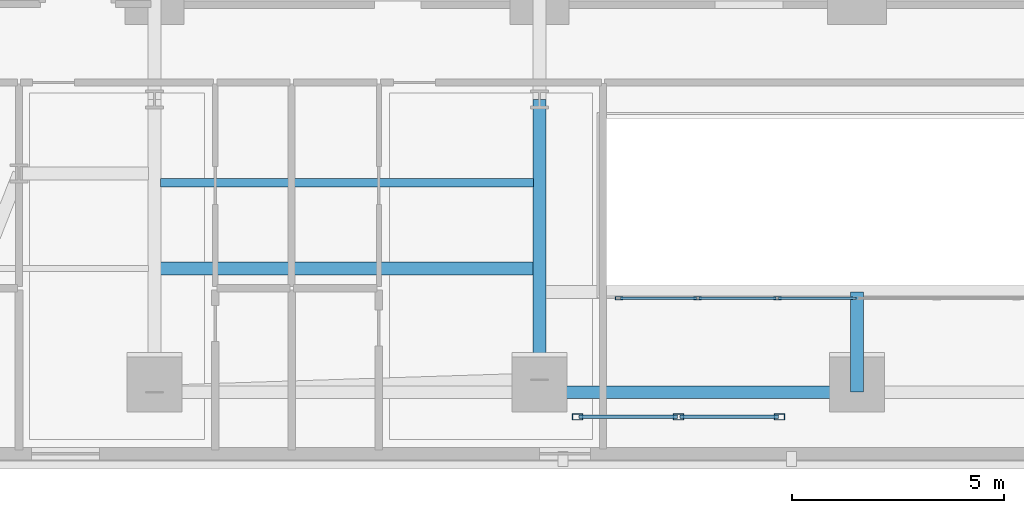
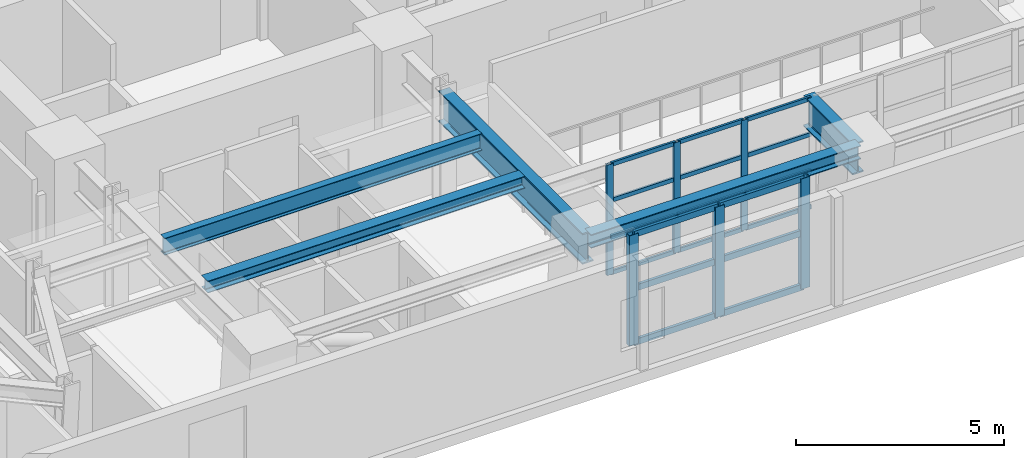
# One storey, part 2 of 16: 24 members, 5 beams, 2 elements without a shape of their own.
"""IFC4 building model written with IfcOpenShell, lengths in metres."""

from ifc_helpers import new_model, si_unit, direction, frame, origin, origin_2d, place, context, subcontext, project, spatial, hollow_rectangle, i_section, extrude, material, layer, layer_set, material_profile, profile_set, type_object, element, aggregate, save


model = new_model("IFC4")

# Units and contexts
model_context = context("Model", 3, precision=1e-05, world=origin(), true_north=direction((0.0, 1.0)))
body_context = subcontext(model_context, "Body", "Model", "MODEL_VIEW")
ifc_project = project(units=[si_unit("LENGTHUNIT", "METRE"), si_unit("AREAUNIT", "SQUARE_METRE"), si_unit("VOLUMEUNIT", "CUBIC_METRE"), si_unit("PLANEANGLEUNIT", "RADIAN"), si_unit("MASSUNIT", "GRAM", prefix="KILO")], contexts=[model_context])

# Site, building, storey
site_placement = place(None, origin())
site = spatial("IfcSite", under=ifc_project, at=site_placement, CompositionType="ELEMENT")
building_placement = place(site_placement, origin())
building = spatial("IfcBuilding", under=site, at=building_placement, Name="Zarnavel Station Tower", CompositionType="ELEMENT")
storey_placement = place(building_placement, frame((0.0, 0.0, 82.800048828125)))
storey = spatial("IfcBuildingStorey", under=building, at=storey_placement, Name="L22", CompositionType="ELEMENT", Elevation=82.800048828125)

# Curtain wall, members
ifc_material_1 = material(Name="Aluminium Dark Anodised and Solar-Control Glass", Category="aluminium")
ifc_layer_1 = layer(ifc_material_1, 0.179931640625)
ifc_layer_set_1 = layer_set([ifc_layer_1], Name="CWS3")
curtain_wall_type_1 = type_object("IfcCurtainWallType", Name="CWS3", PredefinedType="NOTDEFINED", material=ifc_layer_set_1)
curtain_wall_1_placement = place(storey_placement, origin())
curtain_wall_1 = element("IfcCurtainWall", 1, at=curtain_wall_1_placement, inside=storey, type_object=curtain_wall_type_1, Name="L22 Curtain Wall CWS3-L22-AS", PredefinedType="NOTDEFINED")
ifc_material_2 = material(Name="Steel S355J2 (Black Fluoropolymer Coated)", Category="steel")
ifc_material_profile_1 = material_profile(ifc_material_2, hollow_rectangle(XDim=0.080078125, YDim=0.179931640625, WallThickness=0.00634765625, at=origin_2d()), Name="RHS180x80x6.3")
ifc_profile_set_1 = profile_set([ifc_material_profile_1], Name="Steel S355J2 (Black Fluoropolymer Coated)")
member_type_1 = type_object("IfcMemberType", Name="CWS3_MUL", PredefinedType="MULLION", material=ifc_profile_set_1)
member_1_placement = place(storey_placement, frame((23.179931640625, 20.64990234375, 0.0), z_axis=(0.0, 0.0, 1.0), x_axis=(0.0, 1.0, 0.0)))
member_1 = element("IfcMember", 2, at=member_1_placement, type_object=member_type_1, Name="CW3 mullion 1", PredefinedType="MULLION", context=body_context, shape_type="SweptSolid", body=[
    extrude(hollow_rectangle(XDim=0.080078125, YDim=0.179931640625, WallThickness=0.00634765625, at=origin_2d()), origin(), (0.0, 0.0, 1.0), 3.239990234375),
])
member_2_placement = place(storey_placement, frame((25.033447265625, 20.64990234375, 0.0), z_axis=(0.0, 0.0, 1.0), x_axis=(0.0, 1.0, 0.0)))
member_2 = element("IfcMember", 3, at=member_2_placement, type_object=member_type_1, Name="CW3 mullion 2", PredefinedType="MULLION", context=body_context, shape_type="SweptSolid", body=[
    extrude(hollow_rectangle(XDim=0.080078125, YDim=0.179931640625, WallThickness=0.00634765625, at=origin_2d()), origin(), (0.0, 0.0, 1.0), 3.239990234375),
])
member_3_placement = place(storey_placement, frame((26.916748046875, 20.64990234375, 0.0), z_axis=(0.0, 0.0, 1.0), x_axis=(0.0, 1.0, 0.0)))
member_3 = element("IfcMember", 4, at=member_3_placement, type_object=member_type_1, Name="CW3 mullion 3", PredefinedType="MULLION", context=body_context, shape_type="SweptSolid", body=[
    extrude(hollow_rectangle(XDim=0.080078125, YDim=0.179931640625, WallThickness=0.00634765625, at=origin_2d()), origin(), (0.0, 0.0, 1.0), 3.239990234375),
])
ifc_material_3 = material(Name="Steel S355J2 (Black Fluoropolymer Coated)", Category="steel")
ifc_material_profile_2 = material_profile(ifc_material_3, hollow_rectangle(XDim=0.06005859375, YDim=0.1201171875, WallThickness=0.0048828125, at=origin_2d()), Name="RHS120x60x5")
ifc_profile_set_2 = profile_set([ifc_material_profile_2], Name="Steel S355J2 (Black Fluoropolymer Coated)")
member_type_2 = type_object("IfcMemberType", Name="CWS3_TRN", PredefinedType="USERDEFINED", material=ifc_profile_set_2)
member_4_placement = place(storey_placement, frame((23.2099609375, 20.64990234375, 0.030029296875), z_axis=(1.0, 0.0, 0.0), x_axis=(0.0, 1.0, 0.0)))
member_4 = element("IfcMember", 5, at=member_4_placement, type_object=member_type_2, Name="CW3 transom 1.1", ObjectType="TRANSOM", PredefinedType="USERDEFINED", context=body_context, shape_type="SweptSolid", body=[
    extrude(hollow_rectangle(XDim=0.06005859375, YDim=0.1201171875, WallThickness=0.0048828125, at=origin_2d()), origin(), (0.0, 0.0, 1.0), 1.79345703125),
])
member_5_placement = place(storey_placement, frame((23.2099609375, 20.64990234375, 1.079833984375), z_axis=(1.0, 0.0, 0.0), x_axis=(0.0, 1.0, 0.0)))
member_5 = element("IfcMember", 6, at=member_5_placement, type_object=member_type_2, Name="CW3 transom 1.2", ObjectType="TRANSOM", PredefinedType="USERDEFINED", context=body_context, shape_type="SweptSolid", body=[
    extrude(hollow_rectangle(XDim=0.06005859375, YDim=0.1201171875, WallThickness=0.0048828125, at=origin_2d()), origin(), (0.0, 0.0, 1.0), 1.79345703125),
])
member_6_placement = place(storey_placement, frame((23.2099609375, 20.64990234375, 2.159912109375), z_axis=(1.0, 0.0, 0.0), x_axis=(0.0, 1.0, 0.0)))
member_6 = element("IfcMember", 7, at=member_6_placement, type_object=member_type_2, Name="CW3 transom 1.3", ObjectType="TRANSOM", PredefinedType="USERDEFINED", context=body_context, shape_type="SweptSolid", body=[
    extrude(hollow_rectangle(XDim=0.06005859375, YDim=0.1201171875, WallThickness=0.0048828125, at=origin_2d()), origin(), (0.0, 0.0, 1.0), 1.79345703125),
])
member_7_placement = place(storey_placement, frame((23.2099609375, 20.64990234375, 3.2099609375), z_axis=(1.0, 0.0, 0.0), x_axis=(0.0, 1.0, 0.0)))
member_7 = element("IfcMember", 8, at=member_7_placement, type_object=member_type_2, Name="CW3 transom 1.4", ObjectType="TRANSOM", PredefinedType="USERDEFINED", context=body_context, shape_type="SweptSolid", body=[
    extrude(hollow_rectangle(XDim=0.06005859375, YDim=0.1201171875, WallThickness=0.0048828125, at=origin_2d()), origin(), (0.0, 0.0, 1.0), 1.79345703125),
])
member_8_placement = place(storey_placement, frame((25.063232421875, 20.64990234375, 0.030029296875), z_axis=(1.0, 0.0, 0.0), x_axis=(0.0, 1.0, 0.0)))
member_8 = element("IfcMember", 9, at=member_8_placement, type_object=member_type_2, Name="CW3 transom 2.1", ObjectType="TRANSOM", PredefinedType="USERDEFINED", context=body_context, shape_type="SweptSolid", body=[
    extrude(hollow_rectangle(XDim=0.06005859375, YDim=0.1201171875, WallThickness=0.0048828125, at=origin_2d()), origin(), (0.0, 0.0, 1.0), 1.823486328125),
])
member_9_placement = place(storey_placement, frame((25.063232421875, 20.64990234375, 1.079833984375), z_axis=(1.0, 0.0, 0.0), x_axis=(0.0, 1.0, 0.0)))
member_9 = element("IfcMember", 10, at=member_9_placement, type_object=member_type_2, Name="CW3 transom 2.2", ObjectType="TRANSOM", PredefinedType="USERDEFINED", context=body_context, shape_type="SweptSolid", body=[
    extrude(hollow_rectangle(XDim=0.06005859375, YDim=0.1201171875, WallThickness=0.0048828125, at=origin_2d()), origin(), (0.0, 0.0, 1.0), 1.823486328125),
])
member_10_placement = place(storey_placement, frame((25.063232421875, 20.64990234375, 2.159912109375), z_axis=(1.0, 0.0, 0.0), x_axis=(0.0, 1.0, 0.0)))
member_10 = element("IfcMember", 11, at=member_10_placement, type_object=member_type_2, Name="CW3 transom 2.3", ObjectType="TRANSOM", PredefinedType="USERDEFINED", context=body_context, shape_type="SweptSolid", body=[
    extrude(hollow_rectangle(XDim=0.06005859375, YDim=0.1201171875, WallThickness=0.0048828125, at=origin_2d()), origin(), (0.0, 0.0, 1.0), 1.823486328125),
])
member_11_placement = place(storey_placement, frame((25.063232421875, 20.64990234375, 3.2099609375), z_axis=(1.0, 0.0, 0.0), x_axis=(0.0, 1.0, 0.0)))
member_11 = element("IfcMember", 12, at=member_11_placement, type_object=member_type_2, Name="CW3 transom 2.4", ObjectType="TRANSOM", PredefinedType="USERDEFINED", context=body_context, shape_type="SweptSolid", body=[
    extrude(hollow_rectangle(XDim=0.06005859375, YDim=0.1201171875, WallThickness=0.0048828125, at=origin_2d()), origin(), (0.0, 0.0, 1.0), 1.823486328125),
])
member_12_placement = place(storey_placement, frame((26.94677734375, 20.64990234375, 0.030029296875), z_axis=(1.0, 0.0, 0.0), x_axis=(0.0, 1.0, 0.0)))
member_12 = element("IfcMember", 13, at=member_12_placement, type_object=member_type_2, Name="CW3 transom 3.1", ObjectType="TRANSOM", PredefinedType="USERDEFINED", context=body_context, shape_type="SweptSolid", body=[
    extrude(hollow_rectangle(XDim=0.06005859375, YDim=0.1201171875, WallThickness=0.0048828125, at=origin_2d()), origin(), (0.0, 0.0, 1.0), 1.8232421875),
])
member_13_placement = place(storey_placement, frame((26.94677734375, 20.64990234375, 1.079833984375), z_axis=(1.0, 0.0, 0.0), x_axis=(0.0, 1.0, 0.0)))
member_13 = element("IfcMember", 14, at=member_13_placement, type_object=member_type_2, Name="CW3 transom 3.2", ObjectType="TRANSOM", PredefinedType="USERDEFINED", context=body_context, shape_type="SweptSolid", body=[
    extrude(hollow_rectangle(XDim=0.06005859375, YDim=0.1201171875, WallThickness=0.0048828125, at=origin_2d()), origin(), (0.0, 0.0, 1.0), 1.8232421875),
])
member_14_placement = place(storey_placement, frame((26.94677734375, 20.64990234375, 2.159912109375), z_axis=(1.0, 0.0, 0.0), x_axis=(0.0, 1.0, 0.0)))
member_14 = element("IfcMember", 15, at=member_14_placement, type_object=member_type_2, Name="CW3 transom 3.3", ObjectType="TRANSOM", PredefinedType="USERDEFINED", context=body_context, shape_type="SweptSolid", body=[
    extrude(hollow_rectangle(XDim=0.06005859375, YDim=0.1201171875, WallThickness=0.0048828125, at=origin_2d()), origin(), (0.0, 0.0, 1.0), 1.8232421875),
])
member_15_placement = place(storey_placement, frame((26.94677734375, 20.64990234375, 3.2099609375), z_axis=(1.0, 0.0, 0.0), x_axis=(0.0, 1.0, 0.0)))
member_15 = element("IfcMember", 16, at=member_15_placement, type_object=member_type_2, Name="CW3 transom 3.4", ObjectType="TRANSOM", PredefinedType="USERDEFINED", context=body_context, shape_type="SweptSolid", body=[
    extrude(hollow_rectangle(XDim=0.06005859375, YDim=0.1201171875, WallThickness=0.0048828125, at=origin_2d()), origin(), (0.0, 0.0, 1.0), 1.8232421875),
])
aggregate(curtain_wall_1, [member_1, member_2, member_3, member_4, member_5, member_6, member_7, member_8, member_9, member_10, member_11, member_12, member_13, member_14, member_15])

ifc_material_4 = material(Name="Aluminium Dark Anodised and Solar-Control Glass", Category="aluminium")
ifc_layer_2 = layer(ifc_material_4, 0.179931640625)
ifc_layer_set_2 = layer_set([ifc_layer_2], Name="CWS6")
curtain_wall_type_2 = type_object("IfcCurtainWallType", Name="CWS6", PredefinedType="NOTDEFINED", material=ifc_layer_set_2)
curtain_wall_2_placement = place(storey_placement, origin())
curtain_wall_2 = element("IfcCurtainWall", 17, at=curtain_wall_2_placement, inside=storey, type_object=curtain_wall_type_2, Name="L22 Curtain Wall CWS6-LOG-L22", PredefinedType="NOTDEFINED")
ifc_material_5 = material(Name="Steel S355J2 (Black Fluoropolymer Coated)", Category="steel")
ifc_material_profile_3 = material_profile(ifc_material_5, hollow_rectangle(XDim=0.14990234375, YDim=0.25, WallThickness=0.010009765625, at=origin_2d()), Name="RHS250x150x10")
ifc_profile_set_3 = profile_set([ifc_material_profile_3], Name="Steel S355J2 (Black Fluoropolymer Coated)")
member_type_3 = type_object("IfcMemberType", Name="CWS6_MUL", PredefinedType="MULLION", material=ifc_profile_set_3)
member_16_placement = place(storey_placement, frame((22.197998046875, 17.85009765625, 0.0), z_axis=(0.0, 0.0, 1.0), x_axis=(0.0, 1.0, 0.0)))
member_16 = element("IfcMember", 18, at=member_16_placement, type_object=member_type_3, Name="CW6 mullion 1", PredefinedType="MULLION", context=body_context, shape_type="SweptSolid", body=[
    extrude(hollow_rectangle(XDim=0.14990234375, YDim=0.25, WallThickness=0.010009765625, at=origin_2d()), origin(), (0.0, 0.0, 1.0), 3.239990234375),
])
member_17_placement = place(storey_placement, frame((24.583984375, 17.85009765625, 0.0), z_axis=(0.0, 0.0, 1.0), x_axis=(0.0, 1.0, 0.0)))
member_17 = element("IfcMember", 19, at=member_17_placement, type_object=member_type_3, Name="CW6 mullion 2", PredefinedType="MULLION", context=body_context, shape_type="SweptSolid", body=[
    extrude(hollow_rectangle(XDim=0.14990234375, YDim=0.25, WallThickness=0.010009765625, at=origin_2d()), origin(), (0.0, 0.0, 1.0), 3.239990234375),
])
member_18_placement = place(storey_placement, frame((26.969970703125, 17.85009765625, 0.0), z_axis=(0.0, 0.0, 1.0), x_axis=(0.0, 1.0, 0.0)))
member_18 = element("IfcMember", 20, at=member_18_placement, type_object=member_type_3, Name="CW6 mullion 3", PredefinedType="MULLION", context=body_context, shape_type="SweptSolid", body=[
    extrude(hollow_rectangle(XDim=0.14990234375, YDim=0.25, WallThickness=0.010009765625, at=origin_2d()), origin(), (0.0, 0.0, 1.0), 3.239990234375),
])
ifc_material_6 = material(Name="Steel S355J2 (Black Fluoropolymer Coated)", Category="steel")
ifc_material_profile_4 = material_profile(ifc_material_6, hollow_rectangle(XDim=0.080078125, YDim=0.179931640625, WallThickness=0.00634765625, at=origin_2d()), Name="RHS180x80x6.3")
ifc_profile_set_4 = profile_set([ifc_material_profile_4], Name="Steel S355J2 (Black Fluoropolymer Coated)")
member_type_4 = type_object("IfcMemberType", Name="CWS6_TRN", PredefinedType="USERDEFINED", material=ifc_profile_set_4)
member_19_placement = place(storey_placement, frame((22.22802734375, 17.85009765625, 0.030029296875), z_axis=(1.0, 0.0, 0.0), x_axis=(0.0, 1.0, 0.0)))
member_19 = element("IfcMember", 21, at=member_19_placement, type_object=member_type_4, Name="CW6 transom 1.1", ObjectType="TRANSOM", PredefinedType="USERDEFINED", context=body_context, shape_type="SweptSolid", body=[
    extrude(hollow_rectangle(XDim=0.080078125, YDim=0.179931640625, WallThickness=0.00634765625, at=origin_2d()), origin(), (0.0, 0.0, 1.0), 2.325927734375),
])
member_20_placement = place(storey_placement, frame((22.22802734375, 17.85009765625, 1.619873046875), z_axis=(1.0, 0.0, 0.0), x_axis=(0.0, 1.0, 0.0)))
member_20 = element("IfcMember", 22, at=member_20_placement, type_object=member_type_4, Name="CW6 transom 1.2", ObjectType="TRANSOM", PredefinedType="USERDEFINED", context=body_context, shape_type="SweptSolid", body=[
    extrude(hollow_rectangle(XDim=0.080078125, YDim=0.179931640625, WallThickness=0.00634765625, at=origin_2d()), origin(), (0.0, 0.0, 1.0), 2.325927734375),
])
member_21_placement = place(storey_placement, frame((22.22802734375, 17.85009765625, 3.2099609375), z_axis=(1.0, 0.0, 0.0), x_axis=(0.0, 1.0, 0.0)))
member_21 = element("IfcMember", 23, at=member_21_placement, type_object=member_type_4, Name="CW6 transom 1.3", ObjectType="TRANSOM", PredefinedType="USERDEFINED", context=body_context, shape_type="SweptSolid", body=[
    extrude(hollow_rectangle(XDim=0.080078125, YDim=0.179931640625, WallThickness=0.00634765625, at=origin_2d()), origin(), (0.0, 0.0, 1.0), 2.325927734375),
])
member_22_placement = place(storey_placement, frame((24.614013671875, 17.85009765625, 0.030029296875), z_axis=(1.0, 0.0, 0.0), x_axis=(0.0, 1.0, 0.0)))
member_22 = element("IfcMember", 24, at=member_22_placement, type_object=member_type_4, Name="CW6 transom 2.1", ObjectType="TRANSOM", PredefinedType="USERDEFINED", context=body_context, shape_type="SweptSolid", body=[
    extrude(hollow_rectangle(XDim=0.080078125, YDim=0.179931640625, WallThickness=0.00634765625, at=origin_2d()), origin(), (0.0, 0.0, 1.0), 2.325927734375),
])
member_23_placement = place(storey_placement, frame((24.614013671875, 17.85009765625, 1.619873046875), z_axis=(1.0, 0.0, 0.0), x_axis=(0.0, 1.0, 0.0)))
member_23 = element("IfcMember", 25, at=member_23_placement, type_object=member_type_4, Name="CW6 transom 2.2", ObjectType="TRANSOM", PredefinedType="USERDEFINED", context=body_context, shape_type="SweptSolid", body=[
    extrude(hollow_rectangle(XDim=0.080078125, YDim=0.179931640625, WallThickness=0.00634765625, at=origin_2d()), origin(), (0.0, 0.0, 1.0), 2.325927734375),
])
member_24_placement = place(storey_placement, frame((24.614013671875, 17.85009765625, 3.2099609375), z_axis=(1.0, 0.0, 0.0), x_axis=(0.0, 1.0, 0.0)))
member_24 = element("IfcMember", 26, at=member_24_placement, type_object=member_type_4, Name="CW6 transom 2.3", ObjectType="TRANSOM", PredefinedType="USERDEFINED", context=body_context, shape_type="SweptSolid", body=[
    extrude(hollow_rectangle(XDim=0.080078125, YDim=0.179931640625, WallThickness=0.00634765625, at=origin_2d()), origin(), (0.0, 0.0, 1.0), 2.325927734375),
])
aggregate(curtain_wall_2, [member_16, member_17, member_18, member_19, member_20, member_21, member_22, member_23, member_24])

# Beams
ifc_material_7 = material(Name="Steel S355J2", Category="steel")
ifc_material_profile_5 = material_profile(ifc_material_7, i_section(OverallWidth=0.300048828125, OverallDepth=0.39990234375, WebThickness=0.013427734375, FlangeThickness=0.02392578125, FilletRadius=0.027099609375, at=origin_2d()), Name="HEB400")
ifc_profile_set_5 = profile_set([ifc_material_profile_5], Name="Steel S355J2")
beam_type_1 = type_object("IfcBeamType", Name="EB_HEB400", PredefinedType="SPANDREL", material=ifc_profile_set_5)
beam_1_placement = place(storey_placement, frame((21.300048828125, 18.430908203125, 3.0400390625), z_axis=(1.0, 0.0, 0.0), x_axis=(0.0, 1.0, 0.0)))
element("IfcBeam", 27, at=beam_1_placement, inside=storey, type_object=beam_type_1, Name="L22 South Raked Spandrel 2", PredefinedType="SPANDREL", context=body_context, shape_type="SweptSolid", body=[
    extrude(i_section(OverallWidth=0.300048828125, OverallDepth=0.39990234375, WebThickness=0.013427734375, FlangeThickness=0.02392578125, FilletRadius=0.027099609375, at=origin_2d()), origin(), (0.0, 0.0, 1.0), 7.5),
])
ifc_material_8 = material(Name="Steel S355J2", Category="steel")
ifc_material_profile_6 = material_profile(ifc_material_8, i_section(OverallWidth=0.300048828125, OverallDepth=0.35009765625, WebThickness=0.010009765625, FlangeThickness=0.017578125, FilletRadius=0.027099609375, at=origin_2d()), Name="HEA360")
ifc_profile_set_6 = profile_set([ifc_material_profile_6], Name="Steel S355J2")
beam_type_2 = type_object("IfcBeamType", Name="FB_HEA360", PredefinedType="BEAM", material=ifc_profile_set_6)
beam_2_placement = place(storey_placement, frame((12.344970703125, 21.35400390625, 3.06494140625), z_axis=(1.0, 0.0, 0.0), x_axis=(0.0, 1.0, 0.0)))
element("IfcBeam", 28, at=beam_2_placement, inside=storey, type_object=beam_type_2, Name="L22 West Bay Beam 1", PredefinedType="BEAM", context=body_context, shape_type="SweptSolid", body=[
    extrude(i_section(OverallWidth=0.300048828125, OverallDepth=0.35009765625, WebThickness=0.010009765625, FlangeThickness=0.017578125, FilletRadius=0.027099609375, at=origin_2d()), origin(), (0.0, 0.0, 1.0), 8.81005859375),
])
ifc_material_9 = material(Name="Steel S355J2", Category="steel")
ifc_material_profile_7 = material_profile(ifc_material_9, i_section(OverallWidth=0.199951171875, OverallDepth=0.5, WebThickness=0.01025390625, FlangeThickness=0.01611328125, FilletRadius=0.02099609375, at=origin_2d()), Name="IPE500")
ifc_profile_set_7 = profile_set([ifc_material_profile_7], Name="Steel S355J2")
beam_type_3 = type_object("IfcBeamType", Name="FB_IPE500", PredefinedType="BEAM", material=ifc_profile_set_7)
beam_3_placement = place(storey_placement, frame((12.344970703125, 23.376953125, 2.989990234375), z_axis=(1.0, 0.0, 0.0), x_axis=(0.0, 1.0, 0.0)))
element("IfcBeam", 29, at=beam_3_placement, inside=storey, type_object=beam_type_3, Name="L22 West Bay Beam 2", PredefinedType="BEAM", context=body_context, shape_type="SweptSolid", body=[
    extrude(i_section(OverallWidth=0.199951171875, OverallDepth=0.5, WebThickness=0.01025390625, FlangeThickness=0.01611328125, FilletRadius=0.02099609375, at=origin_2d()), origin(), (0.0, 0.0, 1.0), 8.81005859375),
])
ifc_material_10 = material(Name="Steel S460M", Category="steel")
ifc_material_profile_8 = material_profile(ifc_material_10, i_section(OverallWidth=0.302001953125, OverallDepth=0.909912109375, WebThickness=0.02099609375, FlangeThickness=0.0400390625, FilletRadius=0.030029296875, at=origin_2d()), Name="HEM900")
ifc_profile_set_8 = profile_set([ifc_material_profile_8], Name="Steel S460M")
beam_type_4 = type_object("IfcBeamType", Name="TG_HEM900", PredefinedType="USERDEFINED", material=ifc_profile_set_8)
beam_4_placement = place(storey_placement, frame((21.300048828125, 18.430908203125, 2.784912109375), z_axis=(0.0, 1.0, 0.0), x_axis=(-1.0, 0.0, 0.0)))
element("IfcBeam", 30, at=beam_4_placement, inside=storey, type_object=beam_type_4, Name="L22 South-Zone NS Girder 2", ObjectType="GIRDER", PredefinedType="USERDEFINED", context=body_context, shape_type="SweptSolid", body=[
    extrude(i_section(OverallWidth=0.302001953125, OverallDepth=0.909912109375, WebThickness=0.02099609375, FlangeThickness=0.0400390625, FilletRadius=0.030029296875, at=origin_2d()), origin(), (0.0, 0.0, 1.0), 6.919189453125),
])
beam_5_placement = place(storey_placement, frame((28.800048828125, 18.430908203125, 2.784912109375), z_axis=(0.0, 1.0, 0.0), x_axis=(-1.0, 0.0, 0.0)))
element("IfcBeam", 31, at=beam_5_placement, inside=storey, type_object=beam_type_4, Name="L22 Central Atrium-South Girder", ObjectType="GIRDER", PredefinedType="USERDEFINED", context=body_context, shape_type="SweptSolid", body=[
    extrude(i_section(OverallWidth=0.302001953125, OverallDepth=0.909912109375, WebThickness=0.02099609375, FlangeThickness=0.0400390625, FilletRadius=0.030029296875, at=origin_2d()), origin(), (0.0, 0.0, 1.0), 2.369140625),
])

save(model, "model.ifc")
